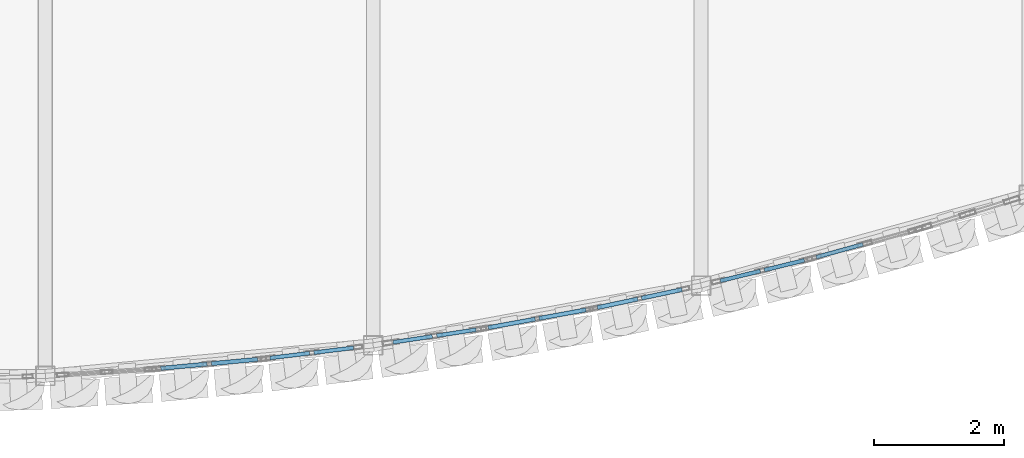
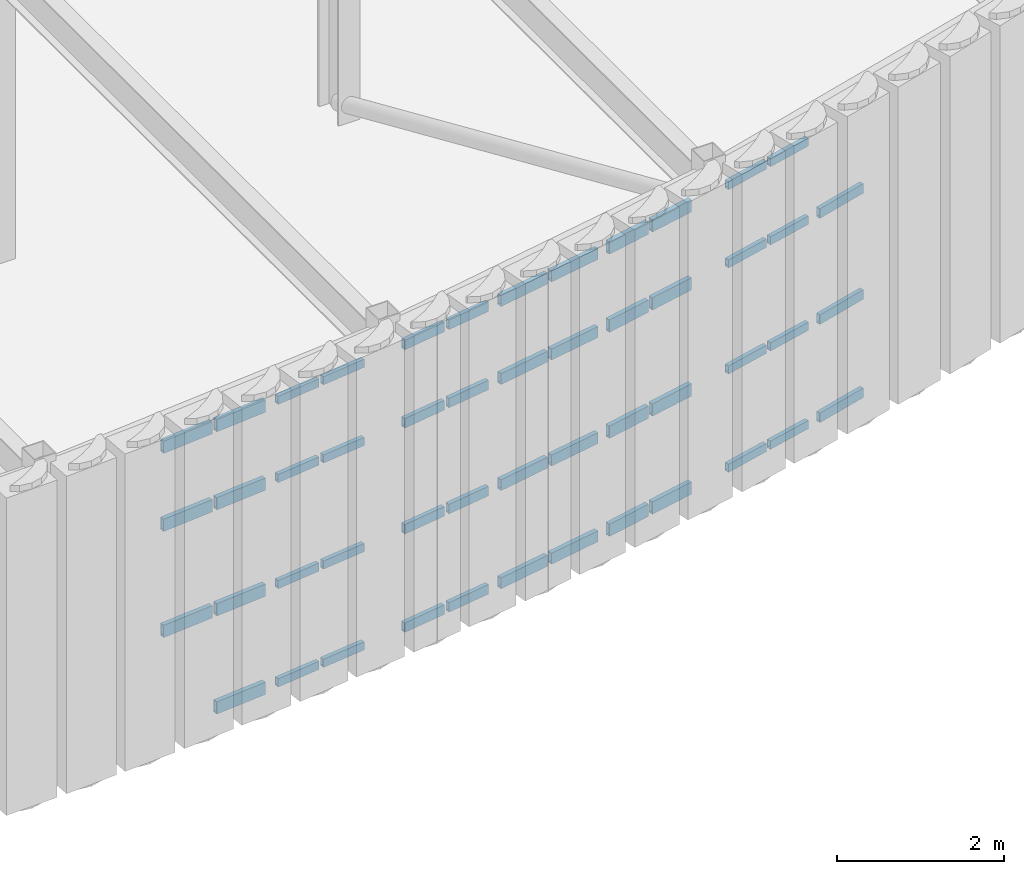
# One storey, part 70 of 121: 50 members, 7 elements without a shape of their own.
"""IFC4 building model written with IfcOpenShell, lengths in metres."""

from ifc_helpers import new_model, si_unit, direction, frame, origin, origin_2d, place, context, subcontext, project, spatial, hollow_rectangle, extrude, material, layer, layer_set, material_profile, profile_set, type_object, element, aggregate, save


model = new_model("IFC4")

# Units and contexts
model_context = context("Model", 3, precision=1e-05, world=origin(), true_north=direction((0.0, 1.0)))
body_context = subcontext(model_context, "Body", "Model", "MODEL_VIEW")
ifc_project = project(units=[si_unit("LENGTHUNIT", "METRE"), si_unit("AREAUNIT", "SQUARE_METRE"), si_unit("VOLUMEUNIT", "CUBIC_METRE"), si_unit("PLANEANGLEUNIT", "RADIAN"), si_unit("MASSUNIT", "GRAM", prefix="KILO")], contexts=[model_context])

# Site, building, storey
site_placement = place(None, origin())
site = spatial("IfcSite", under=ifc_project, at=site_placement, CompositionType="ELEMENT")
building_placement = place(site_placement, origin())
building = spatial("IfcBuilding", under=site, at=building_placement, Name="Solvadek Multi-Sports Hall", CompositionType="ELEMENT")
storey_placement = place(building_placement, frame((0.0, 0.0, 4.800048828125)))
storey = spatial("IfcBuildingStorey", under=building, at=storey_placement, Name="L01", CompositionType="ELEMENT", Elevation=4.800048828125)

# Curtain wall, members
ifc_material = material(Name="Anodised aluminium", Category="aluminium")
ifc_layer_1 = layer(ifc_material, 0.159912109375, Name="Anodised aluminium")
ifc_layer_set_1 = layer_set([ifc_layer_1], Name="Anodised aluminium")
curtain_wall_type_1 = type_object("IfcCurtainWallType", Name="ENV-CW-142X420", PredefinedType="USERDEFINED", material=ifc_layer_set_1)
curtain_wall_1_placement = place(storey_placement, origin())
curtain_wall_1 = element("IfcCurtainWall", 1, at=curtain_wall_1_placement, inside=storey, type_object=curtain_wall_type_1, Name="L01 Crescent Curved Curtain Wall #71", ObjectType="CURTAIN WALL", PredefinedType="USERDEFINED")
ifc_material_profile_1 = material_profile(ifc_material, hollow_rectangle(XDim=0.06005859375, YDim=0.1201171875, WallThickness=0.00390625, at=origin_2d()), Name="ALU-T 120x60x4")
ifc_profile_set_1 = profile_set([ifc_material_profile_1], Name="Anodised aluminium")
member_type_1 = type_object("IfcMemberType", Name="ENV-CWT-01", PredefinedType="USERDEFINED", material=ifc_profile_set_1)
member_1_placement = place(storey_placement, frame((99.934326171875, -12.85302734375, 0.030029296875), z_axis=(0.992562863281, 0.121733160787, 0.0), x_axis=(-0.121733160787, 0.992562863281, 0.0)))
member_1 = element("IfcMember", 2, at=member_1_placement, type_object=member_type_1, Name="CW-27 transom 1.1", ObjectType="TRANSOM", PredefinedType="USERDEFINED", context=body_context, shape_type="SweptSolid", body=[
    extrude(hollow_rectangle(XDim=0.06005859375, YDim=0.1201171875, WallThickness=0.00390625, at=origin_2d()), origin(), (0.0, 0.0, 1.0), 0.61376953125),
])
member_2_placement = place(storey_placement, frame((99.934326171875, -12.85302734375, 1.469970703125), z_axis=(0.992562863281, 0.121733160787, 0.0), x_axis=(-0.121733160787, 0.992562863281, 0.0)))
member_2 = element("IfcMember", 3, at=member_2_placement, type_object=member_type_1, Name="CW-27 transom 1.2", ObjectType="TRANSOM", PredefinedType="USERDEFINED", context=body_context, shape_type="SweptSolid", body=[
    extrude(hollow_rectangle(XDim=0.06005859375, YDim=0.1201171875, WallThickness=0.00390625, at=origin_2d()), origin(), (0.0, 0.0, 1.0), 0.61376953125),
])
member_3_placement = place(storey_placement, frame((99.934326171875, -12.85302734375, 3.02392578125), z_axis=(0.992562863281, 0.121733160787, 0.0), x_axis=(-0.121733160787, 0.992562863281, 0.0)))
member_3 = element("IfcMember", 4, at=member_3_placement, type_object=member_type_1, Name="CW-27 transom 1.3", ObjectType="TRANSOM", PredefinedType="USERDEFINED", context=body_context, shape_type="SweptSolid", body=[
    extrude(hollow_rectangle(XDim=0.06005859375, YDim=0.1201171875, WallThickness=0.00390625, at=origin_2d()), origin(), (0.0, 0.0, 1.0), 0.61376953125),
])
member_4_placement = place(storey_placement, frame((99.934326171875, -12.85302734375, 4.169921875), z_axis=(0.992562863281, 0.121733160787, 0.0), x_axis=(-0.121733160787, 0.992562863281, 0.0)))
member_4 = element("IfcMember", 5, at=member_4_placement, type_object=member_type_1, Name="CW-27 transom 1.4", ObjectType="TRANSOM", PredefinedType="USERDEFINED", context=body_context, shape_type="SweptSolid", body=[
    extrude(hollow_rectangle(XDim=0.06005859375, YDim=0.1201171875, WallThickness=0.00390625, at=origin_2d()), origin(), (0.0, 0.0, 1.0), 0.61376953125),
])
member_5_placement = place(storey_placement, frame((100.608154296875, -12.7705078125, 0.030029296875), z_axis=(0.992562863281, 0.121733160787, 0.0), x_axis=(-0.121733160787, 0.992562863281, 0.0)))
member_5 = element("IfcMember", 6, at=member_5_placement, type_object=member_type_1, Name="CW-27 transom 2.1", ObjectType="TRANSOM", PredefinedType="USERDEFINED", context=body_context, shape_type="SweptSolid", body=[
    extrude(hollow_rectangle(XDim=0.06005859375, YDim=0.1201171875, WallThickness=0.00390625, at=origin_2d()), origin(), (0.0, 0.0, 1.0), 0.61376953125),
])
member_6_placement = place(storey_placement, frame((100.608154296875, -12.7705078125, 1.469970703125), z_axis=(0.992562863281, 0.121733160787, 0.0), x_axis=(-0.121733160787, 0.992562863281, 0.0)))
member_6 = element("IfcMember", 7, at=member_6_placement, type_object=member_type_1, Name="CW-27 transom 2.2", ObjectType="TRANSOM", PredefinedType="USERDEFINED", context=body_context, shape_type="SweptSolid", body=[
    extrude(hollow_rectangle(XDim=0.06005859375, YDim=0.1201171875, WallThickness=0.00390625, at=origin_2d()), origin(), (0.0, 0.0, 1.0), 0.61376953125),
])
member_7_placement = place(storey_placement, frame((100.608154296875, -12.7705078125, 3.02392578125), z_axis=(0.992562863281, 0.121733160787, 0.0), x_axis=(-0.121733160787, 0.992562863281, 0.0)))
member_7 = element("IfcMember", 8, at=member_7_placement, type_object=member_type_1, Name="CW-27 transom 2.3", ObjectType="TRANSOM", PredefinedType="USERDEFINED", context=body_context, shape_type="SweptSolid", body=[
    extrude(hollow_rectangle(XDim=0.06005859375, YDim=0.1201171875, WallThickness=0.00390625, at=origin_2d()), origin(), (0.0, 0.0, 1.0), 0.61376953125),
])
member_8_placement = place(storey_placement, frame((100.608154296875, -12.7705078125, 4.169921875), z_axis=(0.992562863281, 0.121733160787, 0.0), x_axis=(-0.121733160787, 0.992562863281, 0.0)))
member_8 = element("IfcMember", 9, at=member_8_placement, type_object=member_type_1, Name="CW-27 transom 2.4", ObjectType="TRANSOM", PredefinedType="USERDEFINED", context=body_context, shape_type="SweptSolid", body=[
    extrude(hollow_rectangle(XDim=0.06005859375, YDim=0.1201171875, WallThickness=0.00390625, at=origin_2d()), origin(), (0.0, 0.0, 1.0), 0.61376953125),
])
aggregate(curtain_wall_1, [member_1, member_2, member_3, member_4, member_5, member_6, member_7, member_8])

ifc_layer_2 = layer(ifc_material, 0.159912109375, Name="Anodised aluminium")
ifc_layer_set_2 = layer_set([ifc_layer_2], Name="Anodised aluminium")
curtain_wall_type_2 = type_object("IfcCurtainWallType", Name="ENV-CW-146X420", PredefinedType="USERDEFINED", material=ifc_layer_set_2)
curtain_wall_2_placement = place(storey_placement, origin())
curtain_wall_2 = element("IfcCurtainWall", 10, at=curtain_wall_2_placement, inside=storey, type_object=curtain_wall_type_2, Name="L01 Crescent Curved Curtain Wall #79", ObjectType="CURTAIN WALL", PredefinedType="USERDEFINED")
member_9_placement = place(storey_placement, frame((106.8564453125, -11.66650390625, 0.030029296875), z_axis=(0.971379205464, 0.237534080064, 0.0), x_axis=(-0.237534080064, 0.971379205464, 0.0)))
member_9 = element("IfcMember", 11, at=member_9_placement, type_object=member_type_1, Name="CW-23 transom 1.1", ObjectType="TRANSOM", PredefinedType="USERDEFINED", context=body_context, shape_type="SweptSolid", body=[
    extrude(hollow_rectangle(XDim=0.06005859375, YDim=0.1201171875, WallThickness=0.00390625, at=origin_2d()), origin(), (0.0, 0.0, 1.0), 0.632080078125),
])
member_10_placement = place(storey_placement, frame((106.8564453125, -11.66650390625, 1.469970703125), z_axis=(0.971379205464, 0.237534080064, 0.0), x_axis=(-0.237534080064, 0.971379205464, 0.0)))
member_10 = element("IfcMember", 12, at=member_10_placement, type_object=member_type_1, Name="CW-23 transom 1.2", ObjectType="TRANSOM", PredefinedType="USERDEFINED", context=body_context, shape_type="SweptSolid", body=[
    extrude(hollow_rectangle(XDim=0.06005859375, YDim=0.1201171875, WallThickness=0.00390625, at=origin_2d()), origin(), (0.0, 0.0, 1.0), 0.632080078125),
])
member_11_placement = place(storey_placement, frame((106.8564453125, -11.66650390625, 3.02392578125), z_axis=(0.971379205464, 0.237534080064, 0.0), x_axis=(-0.237534080064, 0.971379205464, 0.0)))
member_11 = element("IfcMember", 13, at=member_11_placement, type_object=member_type_1, Name="CW-23 transom 1.3", ObjectType="TRANSOM", PredefinedType="USERDEFINED", context=body_context, shape_type="SweptSolid", body=[
    extrude(hollow_rectangle(XDim=0.06005859375, YDim=0.1201171875, WallThickness=0.00390625, at=origin_2d()), origin(), (0.0, 0.0, 1.0), 0.632080078125),
])
member_12_placement = place(storey_placement, frame((106.8564453125, -11.66650390625, 4.169921875), z_axis=(0.971379205464, 0.237534080064, 0.0), x_axis=(-0.237534080064, 0.971379205464, 0.0)))
member_12 = element("IfcMember", 14, at=member_12_placement, type_object=member_type_1, Name="CW-23 transom 1.4", ObjectType="TRANSOM", PredefinedType="USERDEFINED", context=body_context, shape_type="SweptSolid", body=[
    extrude(hollow_rectangle(XDim=0.06005859375, YDim=0.1201171875, WallThickness=0.00390625, at=origin_2d()), origin(), (0.0, 0.0, 1.0), 0.632080078125),
])
member_13_placement = place(storey_placement, frame((107.53369140625, -11.5009765625, 0.030029296875), z_axis=(0.97146826328, 0.237169587934, 0.0), x_axis=(-0.237169587934, 0.97146826328, 0.0)))
member_13 = element("IfcMember", 15, at=member_13_placement, type_object=member_type_1, Name="CW-23 transom 2.1", ObjectType="TRANSOM", PredefinedType="USERDEFINED", context=body_context, shape_type="SweptSolid", body=[
    extrude(hollow_rectangle(XDim=0.06005859375, YDim=0.1201171875, WallThickness=0.00390625, at=origin_2d()), origin(), (0.0, 0.0, 1.0), 0.632080078125),
])
member_14_placement = place(storey_placement, frame((107.53369140625, -11.5009765625, 1.469970703125), z_axis=(0.97146826328, 0.237169587934, 0.0), x_axis=(-0.237169587934, 0.97146826328, 0.0)))
member_14 = element("IfcMember", 16, at=member_14_placement, type_object=member_type_1, Name="CW-23 transom 2.2", ObjectType="TRANSOM", PredefinedType="USERDEFINED", context=body_context, shape_type="SweptSolid", body=[
    extrude(hollow_rectangle(XDim=0.06005859375, YDim=0.1201171875, WallThickness=0.00390625, at=origin_2d()), origin(), (0.0, 0.0, 1.0), 0.632080078125),
])
member_15_placement = place(storey_placement, frame((107.53369140625, -11.5009765625, 3.02392578125), z_axis=(0.97146826328, 0.237169587934, 0.0), x_axis=(-0.237169587934, 0.97146826328, 0.0)))
member_15 = element("IfcMember", 17, at=member_15_placement, type_object=member_type_1, Name="CW-23 transom 2.3", ObjectType="TRANSOM", PredefinedType="USERDEFINED", context=body_context, shape_type="SweptSolid", body=[
    extrude(hollow_rectangle(XDim=0.06005859375, YDim=0.1201171875, WallThickness=0.00390625, at=origin_2d()), origin(), (0.0, 0.0, 1.0), 0.632080078125),
])
member_16_placement = place(storey_placement, frame((107.53369140625, -11.5009765625, 4.169921875), z_axis=(0.97146826328, 0.237169587934, 0.0), x_axis=(-0.237169587934, 0.97146826328, 0.0)))
member_16 = element("IfcMember", 18, at=member_16_placement, type_object=member_type_1, Name="CW-23 transom 2.4", ObjectType="TRANSOM", PredefinedType="USERDEFINED", context=body_context, shape_type="SweptSolid", body=[
    extrude(hollow_rectangle(XDim=0.06005859375, YDim=0.1201171875, WallThickness=0.00390625, at=origin_2d()), origin(), (0.0, 0.0, 1.0), 0.632080078125),
])
aggregate(curtain_wall_2, [member_9, member_10, member_11, member_12, member_13, member_14, member_15, member_16])

ifc_layer_3 = layer(ifc_material, 0.159912109375, Name="Anodised aluminium")
ifc_layer_set_3 = layer_set([ifc_layer_3], Name="Anodised aluminium")
curtain_wall_type_3 = type_object("IfcCurtainWallType", Name="ENV-CW-143X420", PredefinedType="USERDEFINED", material=ifc_layer_set_3)
curtain_wall_3_placement = place(storey_placement, origin())
curtain_wall_3 = element("IfcCurtainWall", 19, at=curtain_wall_3_placement, inside=storey, type_object=curtain_wall_type_3, Name="L01 Crescent Curved Curtain Wall #73", ObjectType="CURTAIN WALL", PredefinedType="USERDEFINED")
ifc_material_profile_2 = material_profile(ifc_material, hollow_rectangle(XDim=0.06005859375, YDim=0.139892578125, WallThickness=0.00390625, at=origin_2d()), Name="ALU-T 140x60x4")
ifc_profile_set_2 = profile_set([ifc_material_profile_2], Name="Anodised aluminium")
member_type_2 = type_object("IfcMemberType", Name="ENV-CWT-02", PredefinedType="USERDEFINED", material=ifc_profile_set_2)
member_17_placement = place(storey_placement, frame((101.826416015625, -12.612060546875, 0.030029296875), z_axis=(0.988602001162, 0.15055259313, 0.0), x_axis=(-0.15055259313, 0.988602001162, 0.0)))
member_17 = element("IfcMember", 20, at=member_17_placement, type_object=member_type_2, Name="CW-26 transom 1.1", ObjectType="TRANSOM", PredefinedType="USERDEFINED", context=body_context, shape_type="SweptSolid", body=[
    extrude(hollow_rectangle(XDim=0.06005859375, YDim=0.139892578125, WallThickness=0.00390625, at=origin_2d()), origin(), (0.0, 0.0, 1.0), 0.609619140625),
])
member_18_placement = place(storey_placement, frame((101.826416015625, -12.612060546875, 1.469970703125), z_axis=(0.988602001162, 0.15055259313, 0.0), x_axis=(-0.15055259313, 0.988602001162, 0.0)))
member_18 = element("IfcMember", 21, at=member_18_placement, type_object=member_type_2, Name="CW-26 transom 1.2", ObjectType="TRANSOM", PredefinedType="USERDEFINED", context=body_context, shape_type="SweptSolid", body=[
    extrude(hollow_rectangle(XDim=0.06005859375, YDim=0.139892578125, WallThickness=0.00390625, at=origin_2d()), origin(), (0.0, 0.0, 1.0), 0.609619140625),
])
member_19_placement = place(storey_placement, frame((101.826416015625, -12.612060546875, 3.02392578125), z_axis=(0.988602001162, 0.15055259313, 0.0), x_axis=(-0.15055259313, 0.988602001162, 0.0)))
member_19 = element("IfcMember", 22, at=member_19_placement, type_object=member_type_2, Name="CW-26 transom 1.3", ObjectType="TRANSOM", PredefinedType="USERDEFINED", context=body_context, shape_type="SweptSolid", body=[
    extrude(hollow_rectangle(XDim=0.06005859375, YDim=0.139892578125, WallThickness=0.00390625, at=origin_2d()), origin(), (0.0, 0.0, 1.0), 0.609619140625),
])
member_20_placement = place(storey_placement, frame((101.826416015625, -12.612060546875, 4.169921875), z_axis=(0.988602001162, 0.15055259313, 0.0), x_axis=(-0.15055259313, 0.988602001162, 0.0)))
member_20 = element("IfcMember", 23, at=member_20_placement, type_object=member_type_2, Name="CW-26 transom 1.4", ObjectType="TRANSOM", PredefinedType="USERDEFINED", context=body_context, shape_type="SweptSolid", body=[
    extrude(hollow_rectangle(XDim=0.06005859375, YDim=0.139892578125, WallThickness=0.00390625, at=origin_2d()), origin(), (0.0, 0.0, 1.0), 0.609619140625),
])
member_21_placement = place(storey_placement, frame((102.498291015625, -12.509521484375, 0.030029296875), z_axis=(0.988602001162, 0.15055259313, 0.0), x_axis=(-0.15055259313, 0.988602001162, 0.0)))
member_21 = element("IfcMember", 24, at=member_21_placement, type_object=member_type_2, Name="CW-26 transom 2.1", ObjectType="TRANSOM", PredefinedType="USERDEFINED", context=body_context, shape_type="SweptSolid", body=[
    extrude(hollow_rectangle(XDim=0.06005859375, YDim=0.139892578125, WallThickness=0.00390625, at=origin_2d()), origin(), (0.0, 0.0, 1.0), 0.609619140625),
])
member_22_placement = place(storey_placement, frame((102.498291015625, -12.509521484375, 1.469970703125), z_axis=(0.988602001162, 0.15055259313, 0.0), x_axis=(-0.15055259313, 0.988602001162, 0.0)))
member_22 = element("IfcMember", 25, at=member_22_placement, type_object=member_type_2, Name="CW-26 transom 2.2", ObjectType="TRANSOM", PredefinedType="USERDEFINED", context=body_context, shape_type="SweptSolid", body=[
    extrude(hollow_rectangle(XDim=0.06005859375, YDim=0.139892578125, WallThickness=0.00390625, at=origin_2d()), origin(), (0.0, 0.0, 1.0), 0.609619140625),
])
member_23_placement = place(storey_placement, frame((102.498291015625, -12.509521484375, 3.02392578125), z_axis=(0.988602001162, 0.15055259313, 0.0), x_axis=(-0.15055259313, 0.988602001162, 0.0)))
member_23 = element("IfcMember", 26, at=member_23_placement, type_object=member_type_2, Name="CW-26 transom 2.3", ObjectType="TRANSOM", PredefinedType="USERDEFINED", context=body_context, shape_type="SweptSolid", body=[
    extrude(hollow_rectangle(XDim=0.06005859375, YDim=0.139892578125, WallThickness=0.00390625, at=origin_2d()), origin(), (0.0, 0.0, 1.0), 0.609619140625),
])
member_24_placement = place(storey_placement, frame((102.498291015625, -12.509521484375, 4.169921875), z_axis=(0.988602001162, 0.15055259313, 0.0), x_axis=(-0.15055259313, 0.988602001162, 0.0)))
member_24 = element("IfcMember", 27, at=member_24_placement, type_object=member_type_2, Name="CW-26 transom 2.4", ObjectType="TRANSOM", PredefinedType="USERDEFINED", context=body_context, shape_type="SweptSolid", body=[
    extrude(hollow_rectangle(XDim=0.06005859375, YDim=0.139892578125, WallThickness=0.00390625, at=origin_2d()), origin(), (0.0, 0.0, 1.0), 0.609619140625),
])
aggregate(curtain_wall_3, [member_17, member_18, member_19, member_20, member_21, member_22, member_23, member_24])

ifc_layer_4 = layer(ifc_material, 0.159912109375, Name="Anodised aluminium")
ifc_layer_set_4 = layer_set([ifc_layer_4], Name="Anodised aluminium")
curtain_wall_type_4 = type_object("IfcCurtainWallType", Name="ENV-CW-168X420", PredefinedType="USERDEFINED", material=ifc_layer_set_4)
curtain_wall_4_placement = place(storey_placement, origin())
curtain_wall_4 = element("IfcCurtainWall", 28, at=curtain_wall_4_placement, inside=storey, type_object=curtain_wall_type_4, Name="L01 Crescent Curved Curtain Wall #81", ObjectType="CURTAIN WALL", PredefinedType="USERDEFINED")
member_25_placement = place(storey_placement, frame((108.33154296875, -11.30322265625, 0.030029296875), z_axis=(0.964010024998, 0.265865890449, 0.0), x_axis=(-0.265865890449, 0.964010024998, 0.0)))
member_25 = element("IfcMember", 29, at=member_25_placement, type_object=member_type_2, Name="CW-22 transom 1.1", ObjectType="TRANSOM", PredefinedType="USERDEFINED", context=body_context, shape_type="SweptSolid", body=[
    extrude(hollow_rectangle(XDim=0.06005859375, YDim=0.139892578125, WallThickness=0.00390625, at=origin_2d()), origin(), (0.0, 0.0, 1.0), 0.743896484375),
])
member_26_placement = place(storey_placement, frame((108.33154296875, -11.30322265625, 1.469970703125), z_axis=(0.964010024998, 0.265865890449, 0.0), x_axis=(-0.265865890449, 0.964010024998, 0.0)))
member_26 = element("IfcMember", 30, at=member_26_placement, type_object=member_type_2, Name="CW-22 transom 1.2", ObjectType="TRANSOM", PredefinedType="USERDEFINED", context=body_context, shape_type="SweptSolid", body=[
    extrude(hollow_rectangle(XDim=0.06005859375, YDim=0.139892578125, WallThickness=0.00390625, at=origin_2d()), origin(), (0.0, 0.0, 1.0), 0.743896484375),
])
member_27_placement = place(storey_placement, frame((108.33154296875, -11.30322265625, 3.02392578125), z_axis=(0.964010024998, 0.265865890449, 0.0), x_axis=(-0.265865890449, 0.964010024998, 0.0)))
member_27 = element("IfcMember", 31, at=member_27_placement, type_object=member_type_2, Name="CW-22 transom 1.3", ObjectType="TRANSOM", PredefinedType="USERDEFINED", context=body_context, shape_type="SweptSolid", body=[
    extrude(hollow_rectangle(XDim=0.06005859375, YDim=0.139892578125, WallThickness=0.00390625, at=origin_2d()), origin(), (0.0, 0.0, 1.0), 0.743896484375),
])
aggregate(curtain_wall_4, [member_25, member_26, member_27])

ifc_layer_5 = layer(ifc_material, 0.159912109375, Name="Anodised aluminium")
ifc_layer_set_5 = layer_set([ifc_layer_5], Name="Anodised aluminium")
curtain_wall_type_5 = type_object("IfcCurtainWallType", Name="ENV-CW-165X420", PredefinedType="USERDEFINED", material=ifc_layer_set_5)
curtain_wall_5_placement = place(storey_placement, origin())
curtain_wall_5 = element("IfcCurtainWall", 32, at=curtain_wall_5_placement, inside=storey, type_object=curtain_wall_type_5, Name="L01 Crescent Curved Curtain Wall #75", ObjectType="CURTAIN WALL", PredefinedType="USERDEFINED")
ifc_material_profile_3 = material_profile(ifc_material, hollow_rectangle(XDim=0.06494140625, YDim=0.159912109375, WallThickness=0.00390625, at=origin_2d()), Name="ALU-T 160x65x4")
ifc_profile_set_3 = profile_set([ifc_material_profile_3], Name="Anodised aluminium")
member_type_3 = type_object("IfcMemberType", Name="ENV-CWT-03", PredefinedType="USERDEFINED", material=ifc_profile_set_3)
member_28_placement = place(storey_placement, frame((103.28857421875, -12.38671875, 0.032470703125), z_axis=(0.983731221279, 0.179646553768, 0.0), x_axis=(-0.179646553768, 0.983731221279, 0.0)))
member_28 = element("IfcMember", 33, at=member_28_placement, type_object=member_type_3, Name="CW-25 transom 1.1", ObjectType="TRANSOM", PredefinedType="USERDEFINED", context=body_context, shape_type="SweptSolid", body=[
    extrude(hollow_rectangle(XDim=0.06494140625, YDim=0.159912109375, WallThickness=0.00390625, at=origin_2d()), origin(), (0.0, 0.0, 1.0), 0.73388671875),
])
member_29_placement = place(storey_placement, frame((103.28857421875, -12.38671875, 1.469970703125), z_axis=(0.983731221279, 0.179646553768, 0.0), x_axis=(-0.179646553768, 0.983731221279, 0.0)))
member_29 = element("IfcMember", 34, at=member_29_placement, type_object=member_type_3, Name="CW-25 transom 1.2", ObjectType="TRANSOM", PredefinedType="USERDEFINED", context=body_context, shape_type="SweptSolid", body=[
    extrude(hollow_rectangle(XDim=0.06494140625, YDim=0.159912109375, WallThickness=0.00390625, at=origin_2d()), origin(), (0.0, 0.0, 1.0), 0.73388671875),
])
member_30_placement = place(storey_placement, frame((103.28857421875, -12.38671875, 3.02392578125), z_axis=(0.983731221279, 0.179646553768, 0.0), x_axis=(-0.179646553768, 0.983731221279, 0.0)))
member_30 = element("IfcMember", 35, at=member_30_placement, type_object=member_type_3, Name="CW-25 transom 1.3", ObjectType="TRANSOM", PredefinedType="USERDEFINED", context=body_context, shape_type="SweptSolid", body=[
    extrude(hollow_rectangle(XDim=0.06494140625, YDim=0.159912109375, WallThickness=0.00390625, at=origin_2d()), origin(), (0.0, 0.0, 1.0), 0.73388671875),
])
member_31_placement = place(storey_placement, frame((103.28857421875, -12.38671875, 4.16748046875), z_axis=(0.983731221279, 0.179646553768, 0.0), x_axis=(-0.179646553768, 0.983731221279, 0.0)))
member_31 = element("IfcMember", 36, at=member_31_placement, type_object=member_type_3, Name="CW-25 transom 1.4", ObjectType="TRANSOM", PredefinedType="USERDEFINED", context=body_context, shape_type="SweptSolid", body=[
    extrude(hollow_rectangle(XDim=0.06494140625, YDim=0.159912109375, WallThickness=0.00390625, at=origin_2d()), origin(), (0.0, 0.0, 1.0), 0.73388671875),
])
member_32_placement = place(storey_placement, frame((104.069580078125, -12.244140625, 0.032470703125), z_axis=(0.983789964407, 0.179324582623, 0.0), x_axis=(-0.179324582623, 0.983789964407, 0.0)))
member_32 = element("IfcMember", 37, at=member_32_placement, type_object=member_type_3, Name="CW-25 transom 2.1", ObjectType="TRANSOM", PredefinedType="USERDEFINED", context=body_context, shape_type="SweptSolid", body=[
    extrude(hollow_rectangle(XDim=0.06494140625, YDim=0.159912109375, WallThickness=0.00390625, at=origin_2d()), origin(), (0.0, 0.0, 1.0), 0.73388671875),
])
member_33_placement = place(storey_placement, frame((104.069580078125, -12.244140625, 1.469970703125), z_axis=(0.983789964407, 0.179324582623, 0.0), x_axis=(-0.179324582623, 0.983789964407, 0.0)))
member_33 = element("IfcMember", 38, at=member_33_placement, type_object=member_type_3, Name="CW-25 transom 2.2", ObjectType="TRANSOM", PredefinedType="USERDEFINED", context=body_context, shape_type="SweptSolid", body=[
    extrude(hollow_rectangle(XDim=0.06494140625, YDim=0.159912109375, WallThickness=0.00390625, at=origin_2d()), origin(), (0.0, 0.0, 1.0), 0.73388671875),
])
member_34_placement = place(storey_placement, frame((104.069580078125, -12.244140625, 3.02392578125), z_axis=(0.983789964407, 0.179324582623, 0.0), x_axis=(-0.179324582623, 0.983789964407, 0.0)))
member_34 = element("IfcMember", 39, at=member_34_placement, type_object=member_type_3, Name="CW-25 transom 2.3", ObjectType="TRANSOM", PredefinedType="USERDEFINED", context=body_context, shape_type="SweptSolid", body=[
    extrude(hollow_rectangle(XDim=0.06494140625, YDim=0.159912109375, WallThickness=0.00390625, at=origin_2d()), origin(), (0.0, 0.0, 1.0), 0.73388671875),
])
member_35_placement = place(storey_placement, frame((104.069580078125, -12.244140625, 4.16748046875), z_axis=(0.983789964407, 0.179324582623, 0.0), x_axis=(-0.179324582623, 0.983789964407, 0.0)))
member_35 = element("IfcMember", 40, at=member_35_placement, type_object=member_type_3, Name="CW-25 transom 2.4", ObjectType="TRANSOM", PredefinedType="USERDEFINED", context=body_context, shape_type="SweptSolid", body=[
    extrude(hollow_rectangle(XDim=0.06494140625, YDim=0.159912109375, WallThickness=0.00390625, at=origin_2d()), origin(), (0.0, 0.0, 1.0), 0.73388671875),
])
aggregate(curtain_wall_5, [member_28, member_29, member_30, member_31, member_32, member_33, member_34, member_35])

ifc_layer_6 = layer(ifc_material, 0.159912109375, Name="Anodised aluminium")
ifc_layer_set_6 = layer_set([ifc_layer_6], Name="Anodised aluminium")
curtain_wall_type_6 = type_object("IfcCurtainWallType", Name="ENV-CW-163X420", PredefinedType="USERDEFINED", material=ifc_layer_set_6)
curtain_wall_6_placement = place(storey_placement, origin())
curtain_wall_6 = element("IfcCurtainWall", 41, at=curtain_wall_6_placement, inside=storey, type_object=curtain_wall_type_6, Name="L01 Crescent Curved Curtain Wall #69", ObjectType="CURTAIN WALL", PredefinedType="USERDEFINED")
ifc_material_profile_4 = material_profile(ifc_material, hollow_rectangle(XDim=0.06494140625, YDim=0.179931640625, WallThickness=0.0048828125, at=origin_2d()), Name="ALU-T 180x65x5")
ifc_profile_set_4 = profile_set([ifc_material_profile_4], Name="Anodised aluminium")
member_type_4 = type_object("IfcMemberType", Name="ENV-CWT-04", PredefinedType="USERDEFINED", material=ifc_profile_set_4)
member_36_placement = place(storey_placement, frame((98.254638671875, -13.01220703125, 1.469970703125), z_axis=(0.995689506528, 0.092749159512, 0.0), x_axis=(-0.092749159512, 0.995689506528, 0.0)))
member_36 = element("IfcMember", 42, at=member_36_placement, type_object=member_type_4, Name="CW-15 transom 1.2", ObjectType="TRANSOM", PredefinedType="USERDEFINED", context=body_context, shape_type="SweptSolid", body=[
    extrude(hollow_rectangle(XDim=0.06494140625, YDim=0.179931640625, WallThickness=0.0048828125, at=origin_2d()), origin(), (0.0, 0.0, 1.0), 0.716064453125),
])
member_37_placement = place(storey_placement, frame((98.254638671875, -13.01220703125, 3.02392578125), z_axis=(0.995689506528, 0.092749159512, 0.0), x_axis=(-0.092749159512, 0.995689506528, 0.0)))
member_37 = element("IfcMember", 43, at=member_37_placement, type_object=member_type_4, Name="CW-15 transom 1.3", ObjectType="TRANSOM", PredefinedType="USERDEFINED", context=body_context, shape_type="SweptSolid", body=[
    extrude(hollow_rectangle(XDim=0.06494140625, YDim=0.179931640625, WallThickness=0.0048828125, at=origin_2d()), origin(), (0.0, 0.0, 1.0), 0.716064453125),
])
member_38_placement = place(storey_placement, frame((98.254638671875, -13.01220703125, 4.16748046875), z_axis=(0.995689506528, 0.092749159512, 0.0), x_axis=(-0.092749159512, 0.995689506528, 0.0)))
member_38 = element("IfcMember", 44, at=member_38_placement, type_object=member_type_4, Name="CW-15 transom 1.4", ObjectType="TRANSOM", PredefinedType="USERDEFINED", context=body_context, shape_type="SweptSolid", body=[
    extrude(hollow_rectangle(XDim=0.06494140625, YDim=0.179931640625, WallThickness=0.0048828125, at=origin_2d()), origin(), (0.0, 0.0, 1.0), 0.716064453125),
])
member_39_placement = place(storey_placement, frame((99.032470703125, -12.939697265625, 0.032470703125), z_axis=(0.995689506528, 0.092749159512, 0.0), x_axis=(-0.092749159512, 0.995689506528, 0.0)))
member_39 = element("IfcMember", 45, at=member_39_placement, type_object=member_type_4, Name="CW-15 transom 2.1", ObjectType="TRANSOM", PredefinedType="USERDEFINED", context=body_context, shape_type="SweptSolid", body=[
    extrude(hollow_rectangle(XDim=0.06494140625, YDim=0.179931640625, WallThickness=0.0048828125, at=origin_2d()), origin(), (0.0, 0.0, 1.0), 0.716064453125),
])
member_40_placement = place(storey_placement, frame((99.032470703125, -12.939697265625, 1.469970703125), z_axis=(0.995689506528, 0.092749159512, 0.0), x_axis=(-0.092749159512, 0.995689506528, 0.0)))
member_40 = element("IfcMember", 46, at=member_40_placement, type_object=member_type_4, Name="CW-15 transom 2.2", ObjectType="TRANSOM", PredefinedType="USERDEFINED", context=body_context, shape_type="SweptSolid", body=[
    extrude(hollow_rectangle(XDim=0.06494140625, YDim=0.179931640625, WallThickness=0.0048828125, at=origin_2d()), origin(), (0.0, 0.0, 1.0), 0.716064453125),
])
member_41_placement = place(storey_placement, frame((99.032470703125, -12.939697265625, 3.02392578125), z_axis=(0.995689506528, 0.092749159512, 0.0), x_axis=(-0.092749159512, 0.995689506528, 0.0)))
member_41 = element("IfcMember", 47, at=member_41_placement, type_object=member_type_4, Name="CW-15 transom 2.3", ObjectType="TRANSOM", PredefinedType="USERDEFINED", context=body_context, shape_type="SweptSolid", body=[
    extrude(hollow_rectangle(XDim=0.06494140625, YDim=0.179931640625, WallThickness=0.0048828125, at=origin_2d()), origin(), (0.0, 0.0, 1.0), 0.716064453125),
])
member_42_placement = place(storey_placement, frame((99.032470703125, -12.939697265625, 4.16748046875), z_axis=(0.995689506528, 0.092749159512, 0.0), x_axis=(-0.092749159512, 0.995689506528, 0.0)))
member_42 = element("IfcMember", 48, at=member_42_placement, type_object=member_type_4, Name="CW-15 transom 2.4", ObjectType="TRANSOM", PredefinedType="USERDEFINED", context=body_context, shape_type="SweptSolid", body=[
    extrude(hollow_rectangle(XDim=0.06494140625, YDim=0.179931640625, WallThickness=0.0048828125, at=origin_2d()), origin(), (0.0, 0.0, 1.0), 0.716064453125),
])
aggregate(curtain_wall_6, [member_36, member_37, member_38, member_39, member_40, member_41, member_42])

ifc_layer_7 = layer(ifc_material, 0.159912109375, Name="Anodised aluminium")
ifc_layer_set_7 = layer_set([ifc_layer_7], Name="Anodised aluminium")
curtain_wall_type_7 = type_object("IfcCurtainWallType", Name="ENV-CW-145X420", PredefinedType="USERDEFINED", material=ifc_layer_set_7)
curtain_wall_7_placement = place(storey_placement, origin())
curtain_wall_7 = element("IfcCurtainWall", 49, at=curtain_wall_7_placement, inside=storey, type_object=curtain_wall_type_7, Name="L01 Crescent Curved Curtain Wall #77", ObjectType="CURTAIN WALL", PredefinedType="USERDEFINED")
member_43_placement = place(storey_placement, frame((104.968017578125, -12.07763671875, 0.032470703125), z_axis=(0.978122610091, 0.208029227825, 0.0), x_axis=(-0.208029227825, 0.978122610091, 0.0)))
member_43 = element("IfcMember", 50, at=member_43_placement, type_object=member_type_4, Name="CW-24 transom 1.1", ObjectType="TRANSOM", PredefinedType="USERDEFINED", context=body_context, shape_type="SweptSolid", body=[
    extrude(hollow_rectangle(XDim=0.06494140625, YDim=0.179931640625, WallThickness=0.0048828125, at=origin_2d()), origin(), (0.0, 0.0, 1.0), 0.6337890625),
])
member_44_placement = place(storey_placement, frame((104.968017578125, -12.07763671875, 1.469970703125), z_axis=(0.978122610091, 0.208029227825, 0.0), x_axis=(-0.208029227825, 0.978122610091, 0.0)))
member_44 = element("IfcMember", 51, at=member_44_placement, type_object=member_type_4, Name="CW-24 transom 1.2", ObjectType="TRANSOM", PredefinedType="USERDEFINED", context=body_context, shape_type="SweptSolid", body=[
    extrude(hollow_rectangle(XDim=0.06494140625, YDim=0.179931640625, WallThickness=0.0048828125, at=origin_2d()), origin(), (0.0, 0.0, 1.0), 0.6337890625),
])
member_45_placement = place(storey_placement, frame((104.968017578125, -12.07763671875, 3.02392578125), z_axis=(0.978122610091, 0.208029227825, 0.0), x_axis=(-0.208029227825, 0.978122610091, 0.0)))
member_45 = element("IfcMember", 52, at=member_45_placement, type_object=member_type_4, Name="CW-24 transom 1.3", ObjectType="TRANSOM", PredefinedType="USERDEFINED", context=body_context, shape_type="SweptSolid", body=[
    extrude(hollow_rectangle(XDim=0.06494140625, YDim=0.179931640625, WallThickness=0.0048828125, at=origin_2d()), origin(), (0.0, 0.0, 1.0), 0.6337890625),
])
member_46_placement = place(storey_placement, frame((104.968017578125, -12.07763671875, 4.16748046875), z_axis=(0.978122610091, 0.208029227825, 0.0), x_axis=(-0.208029227825, 0.978122610091, 0.0)))
member_46 = element("IfcMember", 53, at=member_46_placement, type_object=member_type_4, Name="CW-24 transom 1.4", ObjectType="TRANSOM", PredefinedType="USERDEFINED", context=body_context, shape_type="SweptSolid", body=[
    extrude(hollow_rectangle(XDim=0.06494140625, YDim=0.179931640625, WallThickness=0.0048828125, at=origin_2d()), origin(), (0.0, 0.0, 1.0), 0.6337890625),
])
member_47_placement = place(storey_placement, frame((105.646728515625, -11.93310546875, 0.032470703125), z_axis=(0.978122610091, 0.208029227825, 0.0), x_axis=(-0.208029227825, 0.978122610091, 0.0)))
member_47 = element("IfcMember", 54, at=member_47_placement, type_object=member_type_4, Name="CW-24 transom 2.1", ObjectType="TRANSOM", PredefinedType="USERDEFINED", context=body_context, shape_type="SweptSolid", body=[
    extrude(hollow_rectangle(XDim=0.06494140625, YDim=0.179931640625, WallThickness=0.0048828125, at=origin_2d()), origin(), (0.0, 0.0, 1.0), 0.6337890625),
])
member_48_placement = place(storey_placement, frame((105.646728515625, -11.93310546875, 1.469970703125), z_axis=(0.978122610091, 0.208029227825, 0.0), x_axis=(-0.208029227825, 0.978122610091, 0.0)))
member_48 = element("IfcMember", 55, at=member_48_placement, type_object=member_type_4, Name="CW-24 transom 2.2", ObjectType="TRANSOM", PredefinedType="USERDEFINED", context=body_context, shape_type="SweptSolid", body=[
    extrude(hollow_rectangle(XDim=0.06494140625, YDim=0.179931640625, WallThickness=0.0048828125, at=origin_2d()), origin(), (0.0, 0.0, 1.0), 0.6337890625),
])
member_49_placement = place(storey_placement, frame((105.646728515625, -11.93310546875, 3.02392578125), z_axis=(0.978122610091, 0.208029227825, 0.0), x_axis=(-0.208029227825, 0.978122610091, 0.0)))
member_49 = element("IfcMember", 56, at=member_49_placement, type_object=member_type_4, Name="CW-24 transom 2.3", ObjectType="TRANSOM", PredefinedType="USERDEFINED", context=body_context, shape_type="SweptSolid", body=[
    extrude(hollow_rectangle(XDim=0.06494140625, YDim=0.179931640625, WallThickness=0.0048828125, at=origin_2d()), origin(), (0.0, 0.0, 1.0), 0.6337890625),
])
member_50_placement = place(storey_placement, frame((105.646728515625, -11.93310546875, 4.16748046875), z_axis=(0.978122610091, 0.208029227825, 0.0), x_axis=(-0.208029227825, 0.978122610091, 0.0)))
member_50 = element("IfcMember", 57, at=member_50_placement, type_object=member_type_4, Name="CW-24 transom 2.4", ObjectType="TRANSOM", PredefinedType="USERDEFINED", context=body_context, shape_type="SweptSolid", body=[
    extrude(hollow_rectangle(XDim=0.06494140625, YDim=0.179931640625, WallThickness=0.0048828125, at=origin_2d()), origin(), (0.0, 0.0, 1.0), 0.6337890625),
])
aggregate(curtain_wall_7, [member_43, member_44, member_45, member_46, member_47, member_48, member_49, member_50])

save(model, "model.ifc")
